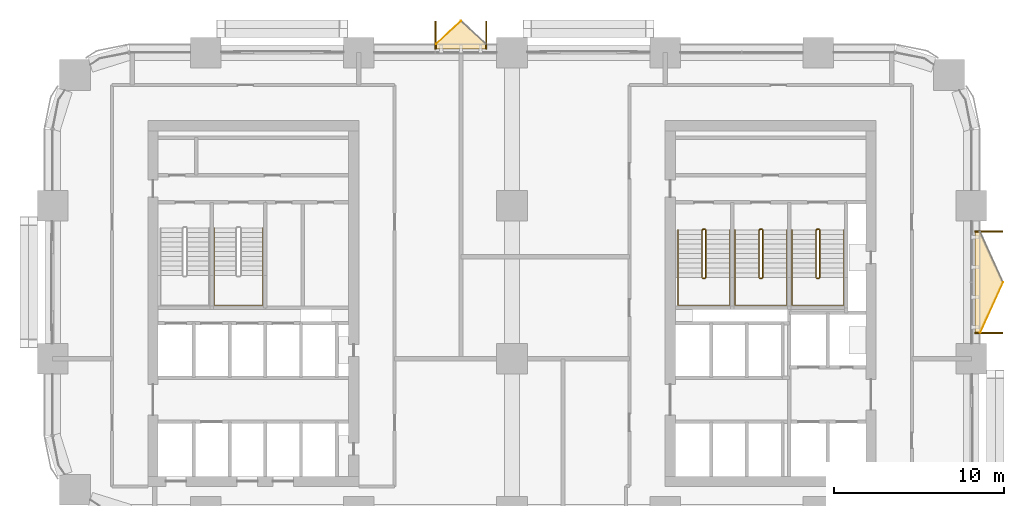
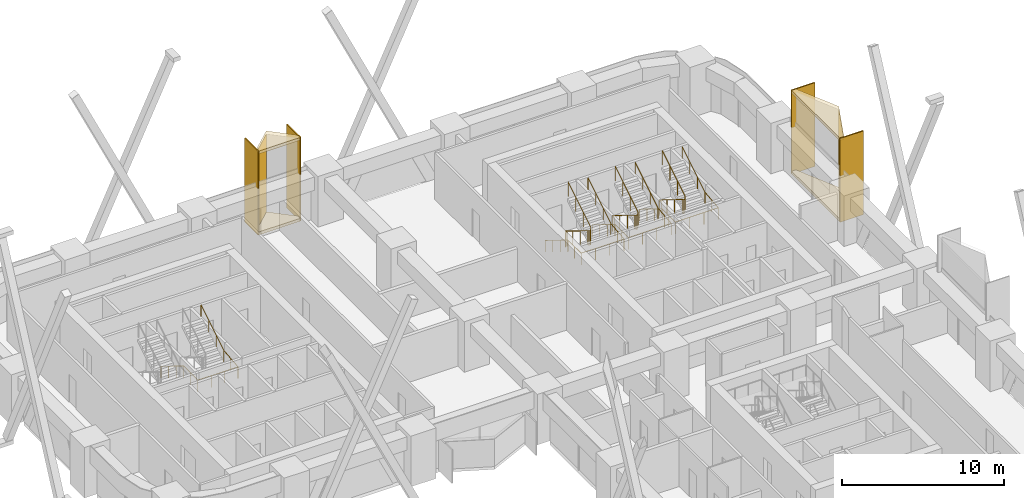
# One storey, part 19 of 19: 10 coverings, 7 railings.
"""IFC4 building model written with IfcOpenShell, lengths in metres."""

from ifc_helpers import new_model, si_unit, direction, frame, origin, origin_2d, place, context, subcontext, project, spatial, polyline, rectangle, circle, outline, extrude, material, layer, layer_set, type_object, element, save


model = new_model("IFC4")

# Units and contexts
model_context = context("Model", 3, precision=1e-05, world=origin(), true_north=direction((0.0, 1.0)))
body_context = subcontext(model_context, "Body", "Model", "MODEL_VIEW")
ifc_project = project(units=[si_unit("LENGTHUNIT", "METRE"), si_unit("AREAUNIT", "SQUARE_METRE"), si_unit("VOLUMEUNIT", "CUBIC_METRE"), si_unit("PLANEANGLEUNIT", "RADIAN"), si_unit("MASSUNIT", "GRAM", prefix="KILO")], contexts=[model_context])

# Site, building, storey
site_placement = place(None, origin())
site = spatial("IfcSite", under=ifc_project, at=site_placement, CompositionType="ELEMENT")
building_placement = place(site_placement, origin())
building = spatial("IfcBuilding", under=site, at=building_placement, Name="Tessera Arch", CompositionType="ELEMENT")
storey_placement = place(building_placement, frame((0.0, 0.0, 93.0)))
storey = spatial("IfcBuildingStorey", under=building, at=storey_placement, Name="L21", CompositionType="ELEMENT", Elevation=93.0)

# Railings
ifc_material_1 = material(Name="Painted steel balustrade", Category="steel")
railing_type_1 = type_object("IfcRailingType", Name="Stair guard 1100", PredefinedType="GUARDRAIL", material=ifc_material_1)
railing_1_placement = place(storey_placement, frame((38.219970703125, 43.6298828125, 0.0)))
element("IfcRailing", 1, at=railing_1_placement, inside=storey, type_object=railing_type_1, Name="L21 S1a stair guard 1", PredefinedType="GUARDRAIL", context=body_context, shape_type="SweptSolid", body=[
    extrude(circle(Radius=0.02392578125, at=origin_2d()), frame((-0.00390625, 0.0, 1.076171875), z_axis=(1.0, 0.0, 0.0), x_axis=(0.0, 1.0, 0.0)), (0.0, 0.0, 1.0), 0.1181640625),
    extrude(circle(Radius=0.02392578125, at=origin_2d()), frame((0.11279296875, 0.000732421875, 1.0732421875), z_axis=(-0.665449600336, -0.206938595226, 0.717184249143), x_axis=(0.296948579431, -0.954893471113, 0.0)), (0.0, 0.0, 1.0), 0.248779296875),
    extrude(circle(Radius=0.02392578125, at=origin_2d()), frame((-0.050048828125, -0.04638671875, 1.24658203125), z_axis=(0.0, -0.851089632645, 0.525020415988), x_axis=(1.0, 0.0, 0.0)), (0.0, 0.0, 1.0), 3.2978515625),
    extrude(circle(Radius=0.02392578125, at=origin_2d()), frame((-0.052978515625, -2.846923828125, 2.97607421875), z_axis=(0.707106781187, -0.707106781187, 0.0), x_axis=(0.707106781187, 0.707106781187, 0.0)), (0.0, 0.0, 1.0), 0.078857421875),
    extrude(circle(Radius=0.02392578125, at=origin_2d()), frame((-0.00390625, -2.89990234375, 2.97607421875), z_axis=(1.0, 0.0, 0.0), x_axis=(0.0, 1.0, 0.0)), (0.0, 0.0, 1.0), 0.1181640625),
    extrude(circle(Radius=0.02392578125, at=origin_2d()), frame((0.109130859375, -2.90087890625, 2.97216796875), z_axis=(0.266739603011, 0.268047150085, 0.925743328097), x_axis=(-0.708833529934, 0.705375805398, 0.0)), (0.0, 0.0, 1.0), 0.19482421875),
    extrude(circle(Radius=0.02392578125, at=origin_2d()), frame((0.159912109375, -2.853271484375, 3.146728515625), z_axis=(0.0, 0.851089632645, 0.525020415988), x_axis=(-1.0, 0.0, 0.0)), (0.0, 0.0, 1.0), 3.2978515625),
    extrude(circle(Radius=0.02099609375, at=origin_2d()), origin(), (0.0, 0.0, 1.0), 1.06396484375),
    extrude(circle(Radius=0.02099609375, at=origin_2d()), frame((0.110107421875, 0.0, 0.0)), (0.0, 0.0, 1.0), 1.06396484375),
    extrude(circle(Radius=0.02099609375, at=origin_2d()), frame((-0.050048828125, -0.0498046875, 0.172607421875)), (0.0, 0.0, 1.0), 1.06396484375),
    extrude(circle(Radius=0.02099609375, at=origin_2d()), frame((-0.050048828125, -0.983154296875, 0.748291015625)), (0.0, 0.0, 1.0), 1.06396484375),
    extrude(circle(Radius=0.02099609375, at=origin_2d()), frame((-0.050048828125, -1.91650390625, 1.32421875)), (0.0, 0.0, 1.0), 1.06396484375),
    extrude(circle(Radius=0.02099609375, at=origin_2d()), frame((-0.050048828125, -2.849853515625, 1.89990234375)), (0.0, 0.0, 1.0), 1.06396484375),
    extrude(circle(Radius=0.02099609375, at=origin_2d()), frame((0.0, -2.89990234375, 1.89990234375)), (0.0, 0.0, 1.0), 1.06396484375),
    extrude(circle(Radius=0.02099609375, at=origin_2d()), frame((0.110107421875, -2.89990234375, 1.89990234375)), (0.0, 0.0, 1.0), 1.06396484375),
    extrude(circle(Radius=0.02099609375, at=origin_2d()), frame((0.159912109375, -2.849853515625, 2.07275390625)), (0.0, 0.0, 1.0), 1.06396484375),
    extrude(circle(Radius=0.02099609375, at=origin_2d()), frame((0.159912109375, -1.91650390625, 2.6484375)), (0.0, 0.0, 1.0), 1.06396484375),
    extrude(circle(Radius=0.02099609375, at=origin_2d()), frame((0.159912109375, -0.983154296875, 3.224365234375)), (0.0, 0.0, 1.0), 1.06396484375),
    extrude(circle(Radius=0.02099609375, at=origin_2d()), frame((0.159912109375, -0.0498046875, 3.800048828125)), (0.0, 0.0, 1.0), 1.06396484375),
])
railing_2_placement = place(storey_placement, frame((41.570068359375, 43.6298828125, 0.0)))
element("IfcRailing", 2, at=railing_2_placement, inside=storey, type_object=railing_type_1, Name="L21 S1b stair guard 1", PredefinedType="GUARDRAIL", context=body_context, shape_type="SweptSolid", body=[
    extrude(circle(Radius=0.02392578125, at=origin_2d()), frame((-0.00390625, 0.0, 1.076171875), z_axis=(1.0, 0.0, 0.0), x_axis=(0.0, 1.0, 0.0)), (0.0, 0.0, 1.0), 0.117919921875),
    extrude(circle(Radius=0.02392578125, at=origin_2d()), frame((0.112548828125, 0.000732421875, 1.0732421875), z_axis=(-0.664883824791, -0.207078321004, 0.717668494851), x_axis=(0.297361876254, -0.954764847777, 0.0)), (0.0, 0.0, 1.0), 0.24853515625),
    extrude(circle(Radius=0.02392578125, at=origin_2d()), frame((-0.050048828125, -0.04638671875, 1.24658203125), z_axis=(0.0, -0.851089632645, 0.525020415988), x_axis=(1.0, 0.0, 0.0)), (0.0, 0.0, 1.0), 3.2978515625),
    extrude(circle(Radius=0.02392578125, at=origin_2d()), frame((-0.052978515625, -2.846923828125, 2.97607421875), z_axis=(0.707106781187, -0.707106781187, 0.0), x_axis=(0.707106781187, 0.707106781187, 0.0)), (0.0, 0.0, 1.0), 0.078857421875),
    extrude(circle(Radius=0.02392578125, at=origin_2d()), frame((-0.00390625, -2.89990234375, 2.97607421875), z_axis=(1.0, 0.0, 0.0), x_axis=(0.0, 1.0, 0.0)), (0.0, 0.0, 1.0), 0.117919921875),
    extrude(circle(Radius=0.02392578125, at=origin_2d()), frame((0.10888671875, -2.90087890625, 2.97216796875), z_axis=(0.267953482034, 0.267953482034, 0.925419830635), x_axis=(-0.707106781187, 0.707106781187, 0.0)), (0.0, 0.0, 1.0), 0.19482421875),
    extrude(circle(Radius=0.02392578125, at=origin_2d()), frame((0.159912109375, -2.853271484375, 3.146728515625), z_axis=(0.0, 0.851089632645, 0.525020415988), x_axis=(-1.0, 0.0, 0.0)), (0.0, 0.0, 1.0), 3.2978515625),
    extrude(circle(Radius=0.02099609375, at=origin_2d()), origin(), (0.0, 0.0, 1.0), 1.06396484375),
    extrude(circle(Radius=0.02099609375, at=origin_2d()), frame((0.10986328125, 0.0, 0.0)), (0.0, 0.0, 1.0), 1.06396484375),
    extrude(circle(Radius=0.02099609375, at=origin_2d()), frame((-0.050048828125, -0.0498046875, 0.172607421875)), (0.0, 0.0, 1.0), 1.06396484375),
    extrude(circle(Radius=0.02099609375, at=origin_2d()), frame((-0.050048828125, -0.983154296875, 0.748291015625)), (0.0, 0.0, 1.0), 1.06396484375),
    extrude(circle(Radius=0.02099609375, at=origin_2d()), frame((-0.050048828125, -1.91650390625, 1.32421875)), (0.0, 0.0, 1.0), 1.06396484375),
    extrude(circle(Radius=0.02099609375, at=origin_2d()), frame((-0.050048828125, -2.849853515625, 1.89990234375)), (0.0, 0.0, 1.0), 1.06396484375),
    extrude(circle(Radius=0.02099609375, at=origin_2d()), frame((0.0, -2.89990234375, 1.89990234375)), (0.0, 0.0, 1.0), 1.06396484375),
    extrude(circle(Radius=0.02099609375, at=origin_2d()), frame((0.10986328125, -2.89990234375, 1.89990234375)), (0.0, 0.0, 1.0), 1.06396484375),
    extrude(circle(Radius=0.02099609375, at=origin_2d()), frame((0.159912109375, -2.849853515625, 2.07275390625)), (0.0, 0.0, 1.0), 1.06396484375),
    extrude(circle(Radius=0.02099609375, at=origin_2d()), frame((0.159912109375, -1.91650390625, 2.6484375)), (0.0, 0.0, 1.0), 1.06396484375),
    extrude(circle(Radius=0.02099609375, at=origin_2d()), frame((0.159912109375, -0.983154296875, 3.224365234375)), (0.0, 0.0, 1.0), 1.06396484375),
    extrude(circle(Radius=0.02099609375, at=origin_2d()), frame((0.159912109375, -0.0498046875, 3.800048828125)), (0.0, 0.0, 1.0), 1.06396484375),
])
railing_3_placement = place(storey_placement, frame((44.919921875, 43.6298828125, 0.0)))
element("IfcRailing", 3, at=railing_3_placement, inside=storey, type_object=railing_type_1, Name="L21 S1c stair guard 1", PredefinedType="GUARDRAIL", context=body_context, shape_type="SweptSolid", body=[
    extrude(circle(Radius=0.02392578125, at=origin_2d()), frame((-0.00390625, 0.0, 1.076171875), z_axis=(1.0, 0.0, 0.0), x_axis=(0.0, 1.0, 0.0)), (0.0, 0.0, 1.0), 0.1181640625),
    extrude(circle(Radius=0.02392578125, at=origin_2d()), frame((0.11279296875, 0.000732421875, 1.0732421875), z_axis=(-0.664883824791, -0.207078321004, 0.717668494851), x_axis=(0.297361876254, -0.954764847777, 0.0)), (0.0, 0.0, 1.0), 0.24853515625),
    extrude(circle(Radius=0.02392578125, at=origin_2d()), frame((-0.0498046875, -0.04638671875, 1.24658203125), z_axis=(0.0, -0.851089632645, 0.525020415988), x_axis=(1.0, 0.0, 0.0)), (0.0, 0.0, 1.0), 3.2978515625),
    extrude(circle(Radius=0.02392578125, at=origin_2d()), frame((-0.052734375, -2.846923828125, 2.97607421875), z_axis=(0.705375805398, -0.708833529934, 0.0), x_axis=(0.708833529934, 0.705375805398, 0.0)), (0.0, 0.0, 1.0), 0.07861328125),
    extrude(circle(Radius=0.02392578125, at=origin_2d()), frame((-0.00390625, -2.89990234375, 2.97607421875), z_axis=(1.0, 0.0, 0.0), x_axis=(0.0, 1.0, 0.0)), (0.0, 0.0, 1.0), 0.1181640625),
    extrude(circle(Radius=0.02392578125, at=origin_2d()), frame((0.109130859375, -2.90087890625, 2.97216796875), z_axis=(0.267953482034, 0.267953482034, 0.925419830635), x_axis=(-0.707106781187, 0.707106781187, 0.0)), (0.0, 0.0, 1.0), 0.19482421875),
    extrude(circle(Radius=0.02392578125, at=origin_2d()), frame((0.16015625, -2.853271484375, 3.146728515625), z_axis=(0.0, 0.851089632645, 0.525020415988), x_axis=(-1.0, 0.0, 0.0)), (0.0, 0.0, 1.0), 3.2978515625),
    extrude(circle(Radius=0.02099609375, at=origin_2d()), origin(), (0.0, 0.0, 1.0), 1.06396484375),
    extrude(circle(Radius=0.02099609375, at=origin_2d()), frame((0.110107421875, 0.0, 0.0)), (0.0, 0.0, 1.0), 1.06396484375),
    extrude(circle(Radius=0.02099609375, at=origin_2d()), frame((-0.0498046875, -0.0498046875, 0.172607421875)), (0.0, 0.0, 1.0), 1.06396484375),
    extrude(circle(Radius=0.02099609375, at=origin_2d()), frame((-0.0498046875, -0.983154296875, 0.748291015625)), (0.0, 0.0, 1.0), 1.06396484375),
    extrude(circle(Radius=0.02099609375, at=origin_2d()), frame((-0.0498046875, -1.91650390625, 1.32421875)), (0.0, 0.0, 1.0), 1.06396484375),
    extrude(circle(Radius=0.02099609375, at=origin_2d()), frame((-0.0498046875, -2.849853515625, 1.89990234375)), (0.0, 0.0, 1.0), 1.06396484375),
    extrude(circle(Radius=0.02099609375, at=origin_2d()), frame((0.0, -2.89990234375, 1.89990234375)), (0.0, 0.0, 1.0), 1.06396484375),
    extrude(circle(Radius=0.02099609375, at=origin_2d()), frame((0.110107421875, -2.89990234375, 1.89990234375)), (0.0, 0.0, 1.0), 1.06396484375),
    extrude(circle(Radius=0.02099609375, at=origin_2d()), frame((0.16015625, -2.849853515625, 2.07275390625)), (0.0, 0.0, 1.0), 1.06396484375),
    extrude(circle(Radius=0.02099609375, at=origin_2d()), frame((0.16015625, -1.91650390625, 2.6484375)), (0.0, 0.0, 1.0), 1.06396484375),
    extrude(circle(Radius=0.02099609375, at=origin_2d()), frame((0.16015625, -0.983154296875, 3.224365234375)), (0.0, 0.0, 1.0), 1.06396484375),
    extrude(circle(Radius=0.02099609375, at=origin_2d()), frame((0.16015625, -0.0498046875, 3.800048828125)), (0.0, 0.0, 1.0), 1.06396484375),
])
ifc_material_2 = material(Name="Painted steel handrail", Category="steel")
railing_type_2 = type_object("IfcRailingType", Name="Stair handrail 900", PredefinedType="HANDRAIL", material=ifc_material_2)
railing_4_placement = place(storey_placement, frame((36.75, 43.580078125, 0.172607421875)))
element("IfcRailing", 4, at=railing_4_placement, inside=storey, type_object=railing_type_2, Name="L21 S1a stair handrail", PredefinedType="HANDRAIL", context=body_context, shape_type="SweptSolid", body=[
    extrude(circle(Radius=0.02392578125, at=origin_2d()), frame((0.0, 0.00341796875, 0.873779296875), z_axis=(0.0, -0.851089632645, 0.525020415988), x_axis=(1.0, 0.0, 0.0)), (0.0, 0.0, 1.0), 3.2978515625),
    extrude(circle(Radius=0.02392578125, at=origin_2d()), frame((0.0, -2.796142578125, 2.60302734375), z_axis=(0.0, -1.0, 0.0), x_axis=(1.0, 0.0, 0.0)), (0.0, 0.0, 1.0), 1.63818359375),
    extrude(circle(Radius=0.02392578125, at=origin_2d()), frame((-0.00390625, -4.43017578125, 2.60302734375), z_axis=(1.0, 0.0, 0.0), x_axis=(0.0, 1.0, 0.0)), (0.0, 0.0, 1.0), 3.05810546875),
    extrude(circle(Radius=0.02392578125, at=origin_2d()), frame((3.050048828125, -4.43408203125, 2.602783203125), z_axis=(0.0, 0.994425187763, 0.105444515941), x_axis=(-1.0, 0.0, 0.0)), (0.0, 0.0, 1.0), 1.647216796875),
    extrude(circle(Radius=0.02392578125, at=origin_2d()), frame((3.050048828125, -2.803466796875, 2.77392578125), z_axis=(0.0, 0.851089632645, 0.525020415988), x_axis=(-1.0, 0.0, 0.0)), (0.0, 0.0, 1.0), 3.2978515625),
    extrude(circle(Radius=0.02099609375, at=origin_2d()), origin(), (0.0, 0.0, 1.0), 0.86376953125),
    extrude(circle(Radius=0.02099609375, at=origin_2d()), frame((0.0, -0.933349609375, 0.57568359375)), (0.0, 0.0, 1.0), 0.86376953125),
    extrude(circle(Radius=0.02099609375, at=origin_2d()), frame((0.0, -1.86669921875, 1.151611328125)), (0.0, 0.0, 1.0), 0.86376953125),
    extrude(circle(Radius=0.02099609375, at=origin_2d()), frame((0.0, -2.800048828125, 1.727294921875)), (0.0, 0.0, 1.0), 0.86376953125),
    extrude(circle(Radius=0.02099609375, at=origin_2d()), frame((0.0, -3.615234375, 1.727294921875)), (0.0, 0.0, 1.0), 0.86376953125),
    extrude(circle(Radius=0.02099609375, at=origin_2d()), frame((0.0, -4.43017578125, 1.727294921875)), (0.0, 0.0, 1.0), 0.86376953125),
    extrude(circle(Radius=0.02099609375, at=origin_2d()), frame((1.0166015625, -4.43017578125, 1.727294921875)), (0.0, 0.0, 1.0), 0.86376953125),
    extrude(circle(Radius=0.02099609375, at=origin_2d()), frame((2.033447265625, -4.43017578125, 1.727294921875)), (0.0, 0.0, 1.0), 0.86376953125),
    extrude(circle(Radius=0.02099609375, at=origin_2d()), frame((3.050048828125, -4.43017578125, 1.727294921875)), (0.0, 0.0, 1.0), 0.86376953125),
    extrude(circle(Radius=0.02099609375, at=origin_2d()), frame((3.050048828125, -3.615234375, 1.813720703125)), (0.0, 0.0, 1.0), 0.86376953125),
    extrude(circle(Radius=0.02099609375, at=origin_2d()), frame((3.050048828125, -2.800048828125, 1.900146484375)), (0.0, 0.0, 1.0), 0.86376953125),
    extrude(circle(Radius=0.02099609375, at=origin_2d()), frame((3.050048828125, -1.86669921875, 2.475830078125)), (0.0, 0.0, 1.0), 0.86376953125),
    extrude(circle(Radius=0.02099609375, at=origin_2d()), frame((3.050048828125, -0.933349609375, 3.0517578125)), (0.0, 0.0, 1.0), 0.86376953125),
    extrude(circle(Radius=0.02099609375, at=origin_2d()), frame((3.050048828125, 0.0, 3.62744140625)), (0.0, 0.0, 1.0), 0.86376953125),
])
railing_5_placement = place(storey_placement, frame((40.10009765625, 43.580078125, 0.172607421875)))
element("IfcRailing", 5, at=railing_5_placement, inside=storey, type_object=railing_type_2, Name="L21 S1b stair handrail", PredefinedType="HANDRAIL", context=body_context, shape_type="SweptSolid", body=[
    extrude(circle(Radius=0.02392578125, at=origin_2d()), frame((0.0, 0.00341796875, 0.873779296875), z_axis=(0.0, -0.851089632645, 0.525020415988), x_axis=(1.0, 0.0, 0.0)), (0.0, 0.0, 1.0), 3.2978515625),
    extrude(circle(Radius=0.02392578125, at=origin_2d()), frame((0.0, -2.796142578125, 2.60302734375), z_axis=(0.0, -1.0, 0.0), x_axis=(1.0, 0.0, 0.0)), (0.0, 0.0, 1.0), 1.63818359375),
    extrude(circle(Radius=0.02392578125, at=origin_2d()), frame((-0.00390625, -4.43017578125, 2.60302734375), z_axis=(1.0, 0.0, 0.0), x_axis=(0.0, 1.0, 0.0)), (0.0, 0.0, 1.0), 3.057861328125),
    extrude(circle(Radius=0.02392578125, at=origin_2d()), frame((3.0498046875, -4.43408203125, 2.602783203125), z_axis=(0.0, 0.994425187763, 0.105444515941), x_axis=(-1.0, 0.0, 0.0)), (0.0, 0.0, 1.0), 1.647216796875),
    extrude(circle(Radius=0.02392578125, at=origin_2d()), frame((3.0498046875, -2.803466796875, 2.77392578125), z_axis=(0.0, 0.851089632645, 0.525020415988), x_axis=(-1.0, 0.0, 0.0)), (0.0, 0.0, 1.0), 3.2978515625),
    extrude(circle(Radius=0.02099609375, at=origin_2d()), origin(), (0.0, 0.0, 1.0), 0.86376953125),
    extrude(circle(Radius=0.02099609375, at=origin_2d()), frame((0.0, -0.933349609375, 0.57568359375)), (0.0, 0.0, 1.0), 0.86376953125),
    extrude(circle(Radius=0.02099609375, at=origin_2d()), frame((0.0, -1.86669921875, 1.151611328125)), (0.0, 0.0, 1.0), 0.86376953125),
    extrude(circle(Radius=0.02099609375, at=origin_2d()), frame((0.0, -2.800048828125, 1.727294921875)), (0.0, 0.0, 1.0), 0.86376953125),
    extrude(circle(Radius=0.02099609375, at=origin_2d()), frame((0.0, -3.615234375, 1.727294921875)), (0.0, 0.0, 1.0), 0.86376953125),
    extrude(circle(Radius=0.02099609375, at=origin_2d()), frame((0.0, -4.43017578125, 1.727294921875)), (0.0, 0.0, 1.0), 0.86376953125),
    extrude(circle(Radius=0.02099609375, at=origin_2d()), frame((1.0166015625, -4.43017578125, 1.727294921875)), (0.0, 0.0, 1.0), 0.86376953125),
    extrude(circle(Radius=0.02099609375, at=origin_2d()), frame((2.033203125, -4.43017578125, 1.727294921875)), (0.0, 0.0, 1.0), 0.86376953125),
    extrude(circle(Radius=0.02099609375, at=origin_2d()), frame((3.0498046875, -4.43017578125, 1.727294921875)), (0.0, 0.0, 1.0), 0.86376953125),
    extrude(circle(Radius=0.02099609375, at=origin_2d()), frame((3.0498046875, -3.615234375, 1.813720703125)), (0.0, 0.0, 1.0), 0.86376953125),
    extrude(circle(Radius=0.02099609375, at=origin_2d()), frame((3.0498046875, -2.800048828125, 1.900146484375)), (0.0, 0.0, 1.0), 0.86376953125),
    extrude(circle(Radius=0.02099609375, at=origin_2d()), frame((3.0498046875, -1.86669921875, 2.475830078125)), (0.0, 0.0, 1.0), 0.86376953125),
    extrude(circle(Radius=0.02099609375, at=origin_2d()), frame((3.0498046875, -0.933349609375, 3.0517578125)), (0.0, 0.0, 1.0), 0.86376953125),
    extrude(circle(Radius=0.02099609375, at=origin_2d()), frame((3.0498046875, 0.0, 3.62744140625)), (0.0, 0.0, 1.0), 0.86376953125),
])
railing_6_placement = place(storey_placement, frame((43.449951171875, 43.580078125, 0.172607421875)))
element("IfcRailing", 6, at=railing_6_placement, inside=storey, type_object=railing_type_2, Name="L21 S1c stair handrail", PredefinedType="HANDRAIL", context=body_context, shape_type="SweptSolid", body=[
    extrude(circle(Radius=0.02392578125, at=origin_2d()), frame((0.0, 0.00341796875, 0.873779296875), z_axis=(0.0, -0.851089632645, 0.525020415988), x_axis=(1.0, 0.0, 0.0)), (0.0, 0.0, 1.0), 3.2978515625),
    extrude(circle(Radius=0.02392578125, at=origin_2d()), frame((0.0, -2.796142578125, 2.60302734375), z_axis=(0.0, -1.0, 0.0), x_axis=(1.0, 0.0, 0.0)), (0.0, 0.0, 1.0), 1.63818359375),
    extrude(circle(Radius=0.02392578125, at=origin_2d()), frame((-0.00390625, -4.43017578125, 2.60302734375), z_axis=(1.0, 0.0, 0.0), x_axis=(0.0, 1.0, 0.0)), (0.0, 0.0, 1.0), 3.05810546875),
    extrude(circle(Radius=0.02392578125, at=origin_2d()), frame((3.050048828125, -4.43408203125, 2.602783203125), z_axis=(0.0, 0.994425187763, 0.105444515941), x_axis=(-1.0, 0.0, 0.0)), (0.0, 0.0, 1.0), 1.647216796875),
    extrude(circle(Radius=0.02392578125, at=origin_2d()), frame((3.050048828125, -2.803466796875, 2.77392578125), z_axis=(0.0, 0.851089632645, 0.525020415988), x_axis=(-1.0, 0.0, 0.0)), (0.0, 0.0, 1.0), 3.2978515625),
    extrude(circle(Radius=0.02099609375, at=origin_2d()), origin(), (0.0, 0.0, 1.0), 0.86376953125),
    extrude(circle(Radius=0.02099609375, at=origin_2d()), frame((0.0, -0.933349609375, 0.57568359375)), (0.0, 0.0, 1.0), 0.86376953125),
    extrude(circle(Radius=0.02099609375, at=origin_2d()), frame((0.0, -1.86669921875, 1.151611328125)), (0.0, 0.0, 1.0), 0.86376953125),
    extrude(circle(Radius=0.02099609375, at=origin_2d()), frame((0.0, -2.800048828125, 1.727294921875)), (0.0, 0.0, 1.0), 0.86376953125),
    extrude(circle(Radius=0.02099609375, at=origin_2d()), frame((0.0, -3.615234375, 1.727294921875)), (0.0, 0.0, 1.0), 0.86376953125),
    extrude(circle(Radius=0.02099609375, at=origin_2d()), frame((0.0, -4.43017578125, 1.727294921875)), (0.0, 0.0, 1.0), 0.86376953125),
    extrude(circle(Radius=0.02099609375, at=origin_2d()), frame((1.0166015625, -4.43017578125, 1.727294921875)), (0.0, 0.0, 1.0), 0.86376953125),
    extrude(circle(Radius=0.02099609375, at=origin_2d()), frame((2.033447265625, -4.43017578125, 1.727294921875)), (0.0, 0.0, 1.0), 0.86376953125),
    extrude(circle(Radius=0.02099609375, at=origin_2d()), frame((3.050048828125, -4.43017578125, 1.727294921875)), (0.0, 0.0, 1.0), 0.86376953125),
    extrude(circle(Radius=0.02099609375, at=origin_2d()), frame((3.050048828125, -3.615234375, 1.813720703125)), (0.0, 0.0, 1.0), 0.86376953125),
    extrude(circle(Radius=0.02099609375, at=origin_2d()), frame((3.050048828125, -2.800048828125, 1.900146484375)), (0.0, 0.0, 1.0), 0.86376953125),
    extrude(circle(Radius=0.02099609375, at=origin_2d()), frame((3.050048828125, -1.86669921875, 2.475830078125)), (0.0, 0.0, 1.0), 0.86376953125),
    extrude(circle(Radius=0.02099609375, at=origin_2d()), frame((3.050048828125, -0.933349609375, 3.0517578125)), (0.0, 0.0, 1.0), 0.86376953125),
    extrude(circle(Radius=0.02099609375, at=origin_2d()), frame((3.050048828125, 0.0, 3.62744140625)), (0.0, 0.0, 1.0), 0.86376953125),
])
railing_7_placement = place(storey_placement, frame((9.5, 43.699951171875, 0.172607421875)))
element("IfcRailing", 7, at=railing_7_placement, inside=storey, type_object=railing_type_2, Name="L21 S2b stair handrail", PredefinedType="HANDRAIL", context=body_context, shape_type="SweptSolid", body=[
    extrude(circle(Radius=0.02392578125, at=origin_2d()), frame((0.0, 0.00341796875, 0.873779296875), z_axis=(0.0, -0.851089632645, 0.525020415988), x_axis=(1.0, 0.0, 0.0)), (0.0, 0.0, 1.0), 3.2978515625),
    extrude(circle(Radius=0.02392578125, at=origin_2d()), frame((0.0, -2.796142578125, 2.60302734375), z_axis=(0.0, -1.0, 0.0), x_axis=(1.0, 0.0, 0.0)), (0.0, 0.0, 1.0), 1.758056640625),
    extrude(circle(Radius=0.02392578125, at=origin_2d()), frame((-0.00390625, -4.550048828125, 2.60302734375), z_axis=(1.0, 0.0, 0.0), x_axis=(0.0, 1.0, 0.0)), (0.0, 0.0, 1.0), 2.858154296875),
    extrude(circle(Radius=0.02392578125, at=origin_2d()), frame((2.85009765625, -4.553955078125, 2.602783203125), z_axis=(0.0, 0.995157418657, 0.098294008428), x_axis=(-1.0, 0.0, 0.0)), (0.0, 0.0, 1.0), 1.7666015625),
    extrude(circle(Radius=0.02392578125, at=origin_2d()), frame((2.85009765625, -2.803466796875, 2.77392578125), z_axis=(0.0, 0.851089632645, 0.525020415988), x_axis=(-1.0, 0.0, 0.0)), (0.0, 0.0, 1.0), 3.2978515625),
    extrude(circle(Radius=0.02099609375, at=origin_2d()), origin(), (0.0, 0.0, 1.0), 0.86376953125),
    extrude(circle(Radius=0.02099609375, at=origin_2d()), frame((0.0, -0.933349609375, 0.57568359375)), (0.0, 0.0, 1.0), 0.86376953125),
    extrude(circle(Radius=0.02099609375, at=origin_2d()), frame((0.0, -1.86669921875, 1.151611328125)), (0.0, 0.0, 1.0), 0.86376953125),
    extrude(circle(Radius=0.02099609375, at=origin_2d()), frame((0.0, -2.800048828125, 1.727294921875)), (0.0, 0.0, 1.0), 0.86376953125),
    extrude(circle(Radius=0.02099609375, at=origin_2d()), frame((0.0, -3.675048828125, 1.727294921875)), (0.0, 0.0, 1.0), 0.86376953125),
    extrude(circle(Radius=0.02099609375, at=origin_2d()), frame((0.0, -4.550048828125, 1.727294921875)), (0.0, 0.0, 1.0), 0.86376953125),
    extrude(circle(Radius=0.02099609375, at=origin_2d()), frame((0.949951171875, -4.550048828125, 1.727294921875)), (0.0, 0.0, 1.0), 0.86376953125),
    extrude(circle(Radius=0.02099609375, at=origin_2d()), frame((1.900146484375, -4.550048828125, 1.727294921875)), (0.0, 0.0, 1.0), 0.86376953125),
    extrude(circle(Radius=0.02099609375, at=origin_2d()), frame((2.85009765625, -4.550048828125, 1.727294921875)), (0.0, 0.0, 1.0), 0.86376953125),
    extrude(circle(Radius=0.02099609375, at=origin_2d()), frame((2.85009765625, -3.675048828125, 1.813720703125)), (0.0, 0.0, 1.0), 0.86376953125),
    extrude(circle(Radius=0.02099609375, at=origin_2d()), frame((2.85009765625, -2.800048828125, 1.900146484375)), (0.0, 0.0, 1.0), 0.86376953125),
    extrude(circle(Radius=0.02099609375, at=origin_2d()), frame((2.85009765625, -1.86669921875, 2.475830078125)), (0.0, 0.0, 1.0), 0.86376953125),
    extrude(circle(Radius=0.02099609375, at=origin_2d()), frame((2.85009765625, -0.933349609375, 3.0517578125)), (0.0, 0.0, 1.0), 0.86376953125),
    extrude(circle(Radius=0.02099609375, at=origin_2d()), frame((2.85009765625, 0.0, 3.62744140625)), (0.0, 0.0, 1.0), 0.86376953125),
])

# Coverings
ifc_material_3 = material(Name="Anodised aluminium pale metal", Category="aluminium")
ifc_layer_1 = layer(ifc_material_3, 0.080078125)
ifc_layer_set_1 = layer_set([ifc_layer_1], Name="Window box cheek")
covering_type_1 = type_object("IfcCoveringType", Name="Window box cheek", PredefinedType="CLADDING", material=ifc_layer_set_1)
covering_1_placement = place(storey_placement, origin())
element("IfcCovering", 8, at=covering_1_placement, inside=storey, type_object=covering_type_1, Name="Window box N54.0/2.0 1x2 cheek", PredefinedType="CLADDING", context=body_context, shape_type="SweptSolid", body=[
    extrude(outline(polyline([(25.530029296875, 55.85009765625), (25.449951171875, 55.85009765625), (25.449951171875, 54.199951171875), (25.530029296875, 54.199951171875), (25.530029296875, 55.85009765625)])), origin(), (0.0, 0.0, 1.0), 6.300048828125),
])
covering_2_placement = place(storey_placement, origin())
element("IfcCovering", 9, at=covering_2_placement, inside=storey, type_object=covering_type_1, Name="Window box N54.0/2.0 1x2 cheek", PredefinedType="CLADDING", context=body_context, shape_type="SweptSolid", body=[
    extrude(outline(polyline([(22.550048828125, 55.85009765625), (22.469970703125, 55.85009765625), (22.469970703125, 54.199951171875), (22.550048828125, 54.199951171875), (22.550048828125, 55.85009765625)])), origin(), (0.0, 0.0, 1.0), 6.300048828125),
])
covering_3_placement = place(storey_placement, origin())
element("IfcCovering", 10, at=covering_3_placement, inside=storey, type_object=covering_type_1, Name="Window box E54.0/4.0 2x2 cheek", PredefinedType="CLADDING", context=body_context, shape_type="SweptSolid", body=[
    extrude(outline(polyline([(55.85009765625, 37.469970703125), (55.85009765625, 37.550048828125), (54.199951171875, 37.550048828125), (54.199951171875, 37.469970703125), (55.85009765625, 37.469970703125)])), origin(), (0.0, 0.0, 1.0), 6.300048828125),
])
covering_4_placement = place(storey_placement, origin())
element("IfcCovering", 11, at=covering_4_placement, inside=storey, type_object=covering_type_1, Name="Window box E54.0/4.0 2x2 cheek", PredefinedType="CLADDING", context=body_context, shape_type="SweptSolid", body=[
    extrude(outline(polyline([(55.85009765625, 43.449951171875), (55.85009765625, 43.530029296875), (54.199951171875, 43.530029296875), (54.199951171875, 43.449951171875), (55.85009765625, 43.449951171875)])), origin(), (0.0, 0.0, 1.0), 6.300048828125),
])
ifc_material_4 = material(Name="Anodised aluminium gold", Category="aluminium")
ifc_layer_2 = layer(ifc_material_4, 0.219970703125)
ifc_layer_set_2 = layer_set([ifc_layer_2], Name="Window box frame plate gold")
covering_type_2 = type_object("IfcCoveringType", Name="Window box frame plate gold", PredefinedType="CLADDING", material=ifc_layer_set_2)
for number, where, name in (
    (12, (0.0, 0.0, 0.0), "Window box E54.0/4.0 2x2 floor"),
    (13, (0.0, 0.0, 6.080078125), "Window box E54.0/4.0 2x2 roof"),
):
    element("IfcCovering", number, at=place(storey_placement, frame(where)), inside=storey, type_object=covering_type_2, Name=name, PredefinedType="CLADDING", context=body_context, shape_type="SweptSolid", body=[
        extrude(outline(polyline([(54.510009765625, 37.550048828125), (55.85009765625, 40.5), (54.510009765625, 43.449951171875), (54.199951171875, 43.449951171875), (54.199951171875, 37.550048828125), (54.510009765625, 37.550048828125)])), origin(), (0.0, 0.0, 1.0), 0.219970703125),
    ])
ifc_material_5 = material(Name="Anodised aluminium pale metal", Category="aluminium")
ifc_layer_3 = layer(ifc_material_5, 0.219970703125)
ifc_layer_set_3 = layer_set([ifc_layer_3], Name="Window box frame plate pale metal")
covering_type_3 = type_object("IfcCoveringType", Name="Window box frame plate pale metal", PredefinedType="CLADDING", material=ifc_layer_set_3)
for number, where, name in (
    (14, (0.0, 0.0, 0.0), "Window box N54.0/2.0 1x2 floor"),
    (15, (0.0, 0.0, 6.080078125), "Window box N54.0/2.0 1x2 roof"),
):
    element("IfcCovering", number, at=place(storey_placement, frame(where)), inside=storey, type_object=covering_type_3, Name=name, PredefinedType="CLADDING", context=body_context, shape_type="SweptSolid", body=[
        extrude(outline(polyline([(25.449951171875, 54.510009765625), (24.0, 55.85009765625), (22.550048828125, 54.510009765625), (22.550048828125, 54.199951171875), (25.449951171875, 54.199951171875), (25.449951171875, 54.510009765625)])), origin(), (0.0, 0.0, 1.0), 0.219970703125),
    ])
ifc_material_6 = material(Name="Anodised aluminium pale metal", Category="aluminium")
ifc_layer_4 = layer(ifc_material_6, 0.028076171875)
ifc_layer_set_4 = layer_set([ifc_layer_4], Name="Window box side panel")
covering_type_4 = type_object("IfcCoveringType", Name="Window box side panel", PredefinedType="CLADDING", material=ifc_layer_set_4)
covering_5_placement = place(storey_placement, frame((23.27490234375, 55.179931640625, 0.2197265625), z_axis=(0.0, 0.0, 1.0), x_axis=(0.734414958885, 0.678700720617, 0.0)))
element("IfcCovering", 16, at=covering_5_placement, inside=storey, type_object=covering_type_4, Name="Window box N54.0/2.0 1x2 side panel", PredefinedType="CLADDING", context=body_context, shape_type="SweptSolid", body=[
    extrude(rectangle(XDim=1.974365234375, YDim=0.028076171875, at=origin_2d()), origin(), (0.0, 0.0, 1.0), 5.860107421875),
])
covering_6_placement = place(storey_placement, frame((55.179931640625, 39.02490234375, 0.2197265625), z_axis=(0.0, 0.0, 1.0), x_axis=(0.413570397858, 0.910472144558, 0.0)))
element("IfcCovering", 17, at=covering_6_placement, inside=storey, type_object=covering_type_4, Name="Window box E54.0/4.0 2x2 side panel", PredefinedType="CLADDING", context=body_context, shape_type="SweptSolid", body=[
    extrude(rectangle(XDim=3.239990234375, YDim=0.028076171875, at=origin_2d()), origin(), (0.0, 0.0, 1.0), 5.860107421875),
])

save(model, "model.ifc")
